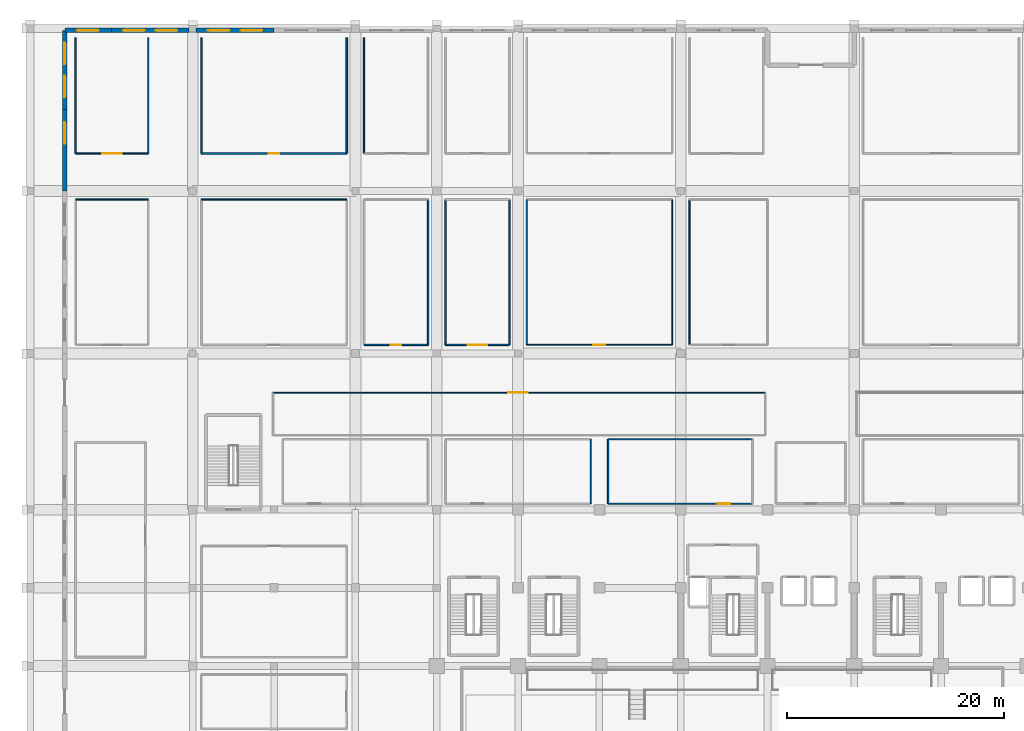
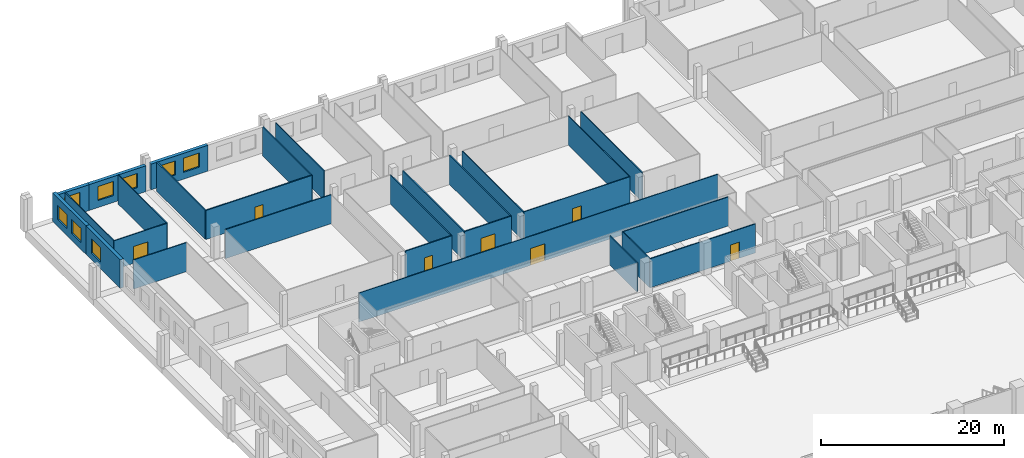
# One storey, part 17 of 33: 28 walls, 8 windows, 7 doors, 15 openings.
"""IFC4 building model written with IfcOpenShell, lengths in metres."""

from ifc_helpers import new_model, si_unit, direction, frame, frame_2d, origin, place, context, subcontext, project, spatial, rectangle, extrude, material, layer, layer_set, type_object, element, fill, save


model = new_model("IFC4")

# Units and contexts
model_context = context("Model", 3, precision=1e-05, world=origin(), true_north=direction((0.0, 1.0)))
body_context = subcontext(model_context, "Body", "Model", "MODEL_VIEW")
ifc_project = project(units=[si_unit("LENGTHUNIT", "METRE"), si_unit("AREAUNIT", "SQUARE_METRE"), si_unit("VOLUMEUNIT", "CUBIC_METRE"), si_unit("PLANEANGLEUNIT", "RADIAN"), si_unit("MASSUNIT", "GRAM", prefix="KILO")], contexts=[model_context])

# Site, building, storey
site_placement = place(None, origin())
site = spatial("IfcSite", under=ifc_project, at=site_placement, CompositionType="ELEMENT")
building_placement = place(site_placement, origin())
building = spatial("IfcBuilding", under=site, at=building_placement, Name="Akrevak Sports Hall", CompositionType="ELEMENT")
storey_placement = place(building_placement, origin())
storey = spatial("IfcBuildingStorey", under=building, at=storey_placement, Name="L00", CompositionType="ELEMENT", Elevation=0.0)

# Wall, opening, window
ifc_material_1 = material(Name="Limestone Ashlar", Category="stone")
ifc_layer_1 = layer(ifc_material_1, 0.090087890625, Name="Limestone Ashlar")
ifc_material_2 = material(Name="Mineral Wool Thermal Insulation", Category="insulation")
ifc_layer_2 = layer(ifc_material_2, 0.110107421875, Name="Mineral Wool Thermal Insulation")
ifc_material_3 = material(Name="Concrete C40/50", Category="concrete")
ifc_layer_3 = layer(ifc_material_3, 0.219970703125, Name="Concrete C40/50")
ifc_layer_set_1 = layer_set([ifc_layer_1, ifc_layer_2, ifc_layer_3], Name="Limestone Ashlar / Mineral Wool Thermal Insulation / Concrete C40/50")
wall_type_1 = type_object("IfcWallType", Name="ARC-WL-EXT-420", PredefinedType="SOLIDWALL", material=ifc_layer_set_1)
wall_1_placement = place(storey_placement, frame((3.199951171875, 106.5, 0.0), z_axis=(0.0, 0.0, 1.0), x_axis=(0.0, -1.0, 0.0)))
wall_1 = element("IfcWall", 1, at=wall_1_placement, inside=storey, type_object=wall_type_1, Name="West Boulevard Arcade Limestone Wall L00-W13", PredefinedType="SOLIDWALL", context=body_context, shape_type="SweptSolid", body=[
    extrude(rectangle(XDim=7.5, YDim=0.419921875, at=frame_2d((3.75, 0.0))), origin(), (0.0, 0.0, 1.0), 3.820068359375),
])
opening_1_placement = place(wall_1_placement, frame((1.175048828125, 0.0, 0.919921875)))
opening_1 = element("IfcOpeningElement", 2, at=opening_1_placement, cuts=wall_1, Name="Opening WN-28", PredefinedType="OPENING", context=body_context, shape_type="SweptSolid", body=[
    extrude(rectangle(XDim=2.0, YDim=1.889892578125, at=frame_2d((1.0, 0.94482421875))), frame((0.0, 0.221923828125, 0.0), z_axis=(0.0, -1.0, 0.0), x_axis=(1.0, 0.0, 0.0)), (0.0, 0.0, 1.0), 0.44384765625),
])
ifc_material_4 = material(Name="Thermally Broken Bronze Frame & Double Low-E Glass", Category="glass")
window_type = type_object("IfcWindowType", Name="ARC-WIN-SZ-2000x1890", PartitioningType="SINGLE_PANEL", PredefinedType="WINDOW", material=ifc_material_4)
window_1_placement = place(opening_1_placement, origin())
window_1 = element("IfcWindow", 3, at=window_1_placement, inside=storey, type_object=window_type, Name="Beaux-Arts Facade Window WIN-L00-W13-2", OverallHeight=1.889892578125, OverallWidth=2.0, PartitioningType="SINGLE_PANEL", PredefinedType="WINDOW", context=body_context, shape_type="SweptSolid", body=[
    extrude(rectangle(XDim=2.0, YDim=1.889892578125, at=frame_2d((1.0, 0.94482421875))), frame((0.0, 0.030029296875, 0.0), z_axis=(0.0, -1.0, 0.0), x_axis=(1.0, 0.0, 0.0)), (0.0, 0.0, 1.0), 0.06005859375),
])
fill(opening_1, window_1)

# Wall, openings, windows
wall_2_placement = place(storey_placement, frame((3.199951171875, 113.7900390625, 0.0), z_axis=(0.0, 0.0, 1.0), x_axis=(0.0, -1.0, 0.0)))
wall_2 = element("IfcWall", 4, at=wall_2_placement, inside=storey, type_object=wall_type_1, Name="West Boulevard Arcade Limestone Wall L00-W14", PredefinedType="SOLIDWALL", context=body_context, shape_type="SweptSolid", body=[
    extrude(rectangle(XDim=7.2900390625, YDim=0.419921875, at=frame_2d((3.64501953125, 0.0))), origin(), (0.0, 0.0, 1.0), 3.820068359375),
])
opening_2_placement = place(wall_2_placement, frame((4.17578125, 0.0, 0.919921875)))
opening_2 = element("IfcOpeningElement", 5, at=opening_2_placement, cuts=wall_2, Name="Opening WN-28", PredefinedType="OPENING", context=body_context, shape_type="SweptSolid", body=[
    extrude(rectangle(XDim=2.0, YDim=1.889892578125, at=frame_2d((1.0, 0.94482421875))), frame((0.0, 0.221923828125, 0.0), z_axis=(0.0, -1.0, 0.0), x_axis=(1.0, 0.0, 0.0)), (0.0, 0.0, 1.0), 0.44384765625),
])
opening_3_placement = place(wall_2_placement, frame((1.114013671875, 0.0, 0.919921875)))
opening_3 = element("IfcOpeningElement", 6, at=opening_3_placement, cuts=wall_2, Name="Opening WN-28", PredefinedType="OPENING", context=body_context, shape_type="SweptSolid", body=[
    extrude(rectangle(XDim=2.0, YDim=1.889892578125, at=frame_2d((1.0, 0.94482421875))), frame((0.0, 0.221923828125, 0.0), z_axis=(0.0, -1.0, 0.0), x_axis=(1.0, 0.0, 0.0)), (0.0, 0.0, 1.0), 0.44384765625),
])
window_2_placement = place(opening_2_placement, origin())
window_2 = element("IfcWindow", 7, at=window_2_placement, inside=storey, type_object=window_type, Name="Beaux-Arts Facade Window WIN-L00-W14-1", OverallHeight=1.889892578125, OverallWidth=2.0, PartitioningType="SINGLE_PANEL", PredefinedType="WINDOW", context=body_context, shape_type="SweptSolid", body=[
    extrude(rectangle(XDim=2.0, YDim=1.889892578125, at=frame_2d((1.0, 0.94482421875))), frame((0.0, 0.030029296875, 0.0), z_axis=(0.0, -1.0, 0.0), x_axis=(1.0, 0.0, 0.0)), (0.0, 0.0, 1.0), 0.06005859375),
])
fill(opening_2, window_2)
window_3_placement = place(opening_3_placement, origin())
window_3 = element("IfcWindow", 8, at=window_3_placement, inside=storey, type_object=window_type, Name="Beaux-Arts Facade Window WIN-L00-W14-2", OverallHeight=1.889892578125, OverallWidth=2.0, PartitioningType="SINGLE_PANEL", PredefinedType="WINDOW", context=body_context, shape_type="SweptSolid", body=[
    extrude(rectangle(XDim=2.0, YDim=1.889892578125, at=frame_2d((1.0, 0.94482421875))), frame((0.0, 0.030029296875, 0.0), z_axis=(0.0, -1.0, 0.0), x_axis=(1.0, 0.0, 0.0)), (0.0, 0.0, 1.0), 0.06005859375),
])
fill(opening_3, window_3)

# Wall, opening, window
wall_3_placement = place(storey_placement, frame((7.5, 113.7900390625, 0.0), z_axis=(0.0, 0.0, 1.0), x_axis=(-1.0, 0.0, 0.0)))
wall_3 = element("IfcWall", 9, at=wall_3_placement, inside=storey, type_object=wall_type_1, Name="North Concourse Stone Wall L00-N01", PredefinedType="SOLIDWALL", context=body_context, shape_type="SweptSolid", body=[
    extrude(rectangle(XDim=4.300048828125, YDim=0.419921875, at=frame_2d((2.14990234375, 0.0))), origin(), (0.0, 0.0, 1.0), 3.449951171875),
])
opening_4_placement = place(wall_3_placement, frame((1.14990234375, 0.0, 0.919921875)))
opening_4 = element("IfcOpeningElement", 10, at=opening_4_placement, cuts=wall_3, Name="Opening WN-28", PredefinedType="OPENING", context=body_context, shape_type="SweptSolid", body=[
    extrude(rectangle(XDim=2.0, YDim=1.889892578125, at=frame_2d((1.0, 0.94482421875))), frame((0.0, 0.221923828125, 0.0), z_axis=(0.0, -1.0, 0.0), x_axis=(1.0, 0.0, 0.0)), (0.0, 0.0, 1.0), 0.44384765625),
])
window_4_placement = place(opening_4_placement, origin())
window_4 = element("IfcWindow", 11, at=window_4_placement, inside=storey, type_object=window_type, Name="Beaux-Arts Facade Window WIN-L00-N01", OverallHeight=1.889892578125, OverallWidth=2.0, PartitioningType="SINGLE_PANEL", PredefinedType="WINDOW", context=body_context, shape_type="SweptSolid", body=[
    extrude(rectangle(XDim=2.0, YDim=1.889892578125, at=frame_2d((1.0, 0.94482421875))), frame((0.0, 0.030029296875, 0.0), z_axis=(0.0, -1.0, 0.0), x_axis=(1.0, 0.0, 0.0)), (0.0, 0.0, 1.0), 0.06005859375),
])
fill(opening_4, window_4)

# Wall, openings, windows
wall_4_placement = place(storey_placement, frame((14.675048828125, 113.7900390625, 0.0), z_axis=(0.0, 0.0, 1.0), x_axis=(-1.0, 0.0, 0.0)))
wall_4 = element("IfcWall", 12, at=wall_4_placement, inside=storey, type_object=wall_type_1, Name="North Concourse Stone Wall L00-N02", PredefinedType="SOLIDWALL", context=body_context, shape_type="SweptSolid", body=[
    extrude(rectangle(XDim=7.175048828125, YDim=0.419921875, at=frame_2d((3.58740234375, 0.0))), origin(), (0.0, 0.0, 1.0), 3.449951171875),
])
opening_5_placement = place(wall_4_placement, frame((4.09423828125, 0.0, 0.919921875)))
opening_5 = element("IfcOpeningElement", 13, at=opening_5_placement, cuts=wall_4, Name="Opening WN-28", PredefinedType="OPENING", context=body_context, shape_type="SweptSolid", body=[
    extrude(rectangle(XDim=2.0, YDim=1.889892578125, at=frame_2d((1.0, 0.94482421875))), frame((0.0, 0.221923828125, 0.0), z_axis=(0.0, -1.0, 0.0), x_axis=(1.0, 0.0, 0.0)), (0.0, 0.0, 1.0), 0.44384765625),
])
opening_6_placement = place(wall_4_placement, frame((1.080810546875, 0.0, 0.919921875)))
opening_6 = element("IfcOpeningElement", 14, at=opening_6_placement, cuts=wall_4, Name="Opening WN-28", PredefinedType="OPENING", context=body_context, shape_type="SweptSolid", body=[
    extrude(rectangle(XDim=2.0, YDim=1.889892578125, at=frame_2d((1.0, 0.94482421875))), frame((0.0, 0.221923828125, 0.0), z_axis=(0.0, -1.0, 0.0), x_axis=(1.0, 0.0, 0.0)), (0.0, 0.0, 1.0), 0.44384765625),
])
window_5_placement = place(opening_5_placement, origin())
window_5 = element("IfcWindow", 15, at=window_5_placement, inside=storey, type_object=window_type, Name="Beaux-Arts Facade Window WIN-L00-N02-1", OverallHeight=1.889892578125, OverallWidth=2.0, PartitioningType="SINGLE_PANEL", PredefinedType="WINDOW", context=body_context, shape_type="SweptSolid", body=[
    extrude(rectangle(XDim=2.0, YDim=1.889892578125, at=frame_2d((1.0, 0.94482421875))), frame((0.0, 0.030029296875, 0.0), z_axis=(0.0, -1.0, 0.0), x_axis=(1.0, 0.0, 0.0)), (0.0, 0.0, 1.0), 0.06005859375),
])
fill(opening_5, window_5)
window_6_placement = place(opening_6_placement, origin())
window_6 = element("IfcWindow", 16, at=window_6_placement, inside=storey, type_object=window_type, Name="Beaux-Arts Facade Window WIN-L00-N02-2", OverallHeight=1.889892578125, OverallWidth=2.0, PartitioningType="SINGLE_PANEL", PredefinedType="WINDOW", context=body_context, shape_type="SweptSolid", body=[
    extrude(rectangle(XDim=2.0, YDim=1.889892578125, at=frame_2d((1.0, 0.94482421875))), frame((0.0, 0.030029296875, 0.0), z_axis=(0.0, -1.0, 0.0), x_axis=(1.0, 0.0, 0.0)), (0.0, 0.0, 1.0), 0.06005859375),
])
fill(opening_6, window_6)

wall_5_placement = place(storey_placement, frame((22.5, 113.7900390625, 0.0), z_axis=(0.0, 0.0, 1.0), x_axis=(-1.0, 0.0, 0.0)))
wall_5 = element("IfcWall", 17, at=wall_5_placement, inside=storey, type_object=wall_type_1, Name="North Concourse Stone Wall L00-N03", PredefinedType="SOLIDWALL", context=body_context, shape_type="SweptSolid", body=[
    extrude(rectangle(XDim=7.175048828125, YDim=0.419921875, at=frame_2d((3.58740234375, 0.0))), origin(), (0.0, 0.0, 1.0), 3.449951171875),
])
opening_7_placement = place(wall_5_placement, frame((4.09423828125, 0.0, 0.919921875)))
opening_7 = element("IfcOpeningElement", 18, at=opening_7_placement, cuts=wall_5, Name="Opening WN-28", PredefinedType="OPENING", context=body_context, shape_type="SweptSolid", body=[
    extrude(rectangle(XDim=2.0, YDim=1.889892578125, at=frame_2d((1.0, 0.94482421875))), frame((0.0, 0.221923828125, 0.0), z_axis=(0.0, -1.0, 0.0), x_axis=(1.0, 0.0, 0.0)), (0.0, 0.0, 1.0), 0.44384765625),
])
opening_8_placement = place(wall_5_placement, frame((1.080810546875, 0.0, 0.919921875)))
opening_8 = element("IfcOpeningElement", 19, at=opening_8_placement, cuts=wall_5, Name="Opening WN-28", PredefinedType="OPENING", context=body_context, shape_type="SweptSolid", body=[
    extrude(rectangle(XDim=2.0, YDim=1.889892578125, at=frame_2d((1.0, 0.94482421875))), frame((0.0, 0.221923828125, 0.0), z_axis=(0.0, -1.0, 0.0), x_axis=(1.0, 0.0, 0.0)), (0.0, 0.0, 1.0), 0.44384765625),
])
window_7_placement = place(opening_7_placement, origin())
window_7 = element("IfcWindow", 20, at=window_7_placement, inside=storey, type_object=window_type, Name="Beaux-Arts Facade Window WIN-L00-N03-1", OverallHeight=1.889892578125, OverallWidth=2.0, PartitioningType="SINGLE_PANEL", PredefinedType="WINDOW", context=body_context, shape_type="SweptSolid", body=[
    extrude(rectangle(XDim=2.0, YDim=1.889892578125, at=frame_2d((1.0, 0.94482421875))), frame((0.0, 0.030029296875, 0.0), z_axis=(0.0, -1.0, 0.0), x_axis=(1.0, 0.0, 0.0)), (0.0, 0.0, 1.0), 0.06005859375),
])
fill(opening_7, window_7)
window_8_placement = place(opening_8_placement, origin())
window_8 = element("IfcWindow", 21, at=window_8_placement, inside=storey, type_object=window_type, Name="Beaux-Arts Facade Window WIN-L00-N03-2", OverallHeight=1.889892578125, OverallWidth=2.0, PartitioningType="SINGLE_PANEL", PredefinedType="WINDOW", context=body_context, shape_type="SweptSolid", body=[
    extrude(rectangle(XDim=2.0, YDim=1.889892578125, at=frame_2d((1.0, 0.94482421875))), frame((0.0, 0.030029296875, 0.0), z_axis=(0.0, -1.0, 0.0), x_axis=(1.0, 0.0, 0.0)), (0.0, 0.0, 1.0), 0.06005859375),
])
fill(opening_8, window_8)

# Wall, opening, door
ifc_material_5 = material(Name="Sanitary Cubicle Partition", Category="gypsum")
ifc_layer_4 = layer(ifc_material_5, 0.10009765625, Name="Sanitary Cubicle Partition")
ifc_layer_set_2 = layer_set([ifc_layer_4], Name="Sanitary Cubicle Partition")
wall_type_2 = type_object("IfcWallType", Name="ARC-WL-PRT-100", PredefinedType="PARTITIONING", material=ifc_layer_set_2)
wall_6_placement = place(storey_placement, frame((45.800048828125, 84.800048828125, 0.0), z_axis=(0.0, 0.0, 1.0), x_axis=(1.0, 0.0, 0.0)))
wall_6 = element("IfcWall", 22, at=wall_6_placement, inside=storey, type_object=wall_type_2, Name="Interior Partition Sports Federation Training Office L00-5 (S)", PredefinedType="PARTITIONING", context=body_context, shape_type="SweptSolid", body=[
    extrude(rectangle(XDim=13.39990234375, YDim=0.10009765625, at=frame_2d((6.699951171875, 0.0))), origin(), (0.0, 0.0, 1.0), 3.8798828125),
])
opening_9_placement = place(wall_6_placement, frame((6.14990234375, 0.0, 0.0)))
opening_9 = element("IfcOpeningElement", 23, at=opening_9_placement, cuts=wall_6, Name="Opening ID-04", PredefinedType="OPENING", context=body_context, shape_type="SweptSolid", body=[
    extrude(rectangle(XDim=1.10009765625, YDim=2.14990234375, at=frame_2d((0.550048828125, 1.074951171875))), frame((0.0, 0.06201171875, 0.0), z_axis=(0.0, -1.0, 0.0), x_axis=(1.0, 0.0, 0.0)), (0.0, 0.0, 1.0), 0.1240234375),
])
ifc_material_6 = material(Name="Hardwood Oak Acoustic Leaf", Category="wood")
door_type_1 = type_object("IfcDoorType", Name="ARC-DR-OFF-110x215", OperationType="NOTDEFINED", PredefinedType="DOOR", material=ifc_material_6)
door_1_placement = place(opening_9_placement, frame((1.10009765625, 0.0, 0.0), z_axis=(0.0, 0.0, 1.0), x_axis=(-1.0, 0.0, 0.0)))
door_1 = element("IfcDoor", 24, at=door_1_placement, inside=storey, type_object=door_type_1, Name="Door to Sports Federation Training Office L00-5", OperationType="SINGLE_SWING_RIGHT", OverallHeight=2.14990234375, OverallWidth=1.10009765625, PredefinedType="DOOR", context=body_context, shape_type="SweptSolid", body=[
    extrude(rectangle(XDim=1.10009765625, YDim=2.14990234375, at=frame_2d((0.550048828125, 1.074951171875))), frame((0.0, 0.02490234375, 0.0), z_axis=(0.0, -1.0, 0.0), x_axis=(1.0, 0.0, 0.0)), (0.0, 0.0, 1.0), 0.050048828125),
])
fill(opening_9, door_1)

# Walls
for number, where, z_axis, x_axis, name in (
    (25, (45.800048828125, 84.800048828125, 0.0), (0.0, 0.0, 1.0), (0.0, 1.0, 0.0), "Interior Partition Sports Federation Training Office L00-5 (W)"),
    (26, (59.199951171875, 84.800048828125, 0.0), (0.0, 0.0, 1.0), (0.0, 1.0, 0.0), "Interior Partition Sports Federation Training Office L00-5 (E)"),
):
    element("IfcWall", number, at=place(storey_placement, frame(where, z_axis=z_axis, x_axis=x_axis)), inside=storey, type_object=wall_type_2, Name=name, PredefinedType="PARTITIONING", context=body_context, shape_type="SweptSolid", body=[
        extrude(rectangle(XDim=13.39990234375, YDim=0.10009765625, at=frame_2d((6.699951171875, 0.0))), origin(), (0.0, 0.0, 1.0), 3.8798828125),
    ])

# Wall, opening, door
wall_7_placement = place(storey_placement, frame((22.39990234375, 80.39990234375, 0.0), z_axis=(0.0, 0.0, 1.0), x_axis=(1.0, 0.0, 0.0)))
wall_7 = element("IfcWall", 27, at=wall_7_placement, inside=storey, type_object=wall_type_2, Name="Interior Partition North Athletes Gear & Kit Storage L00-1 (N)", PredefinedType="PARTITIONING", context=body_context, shape_type="SweptSolid", body=[
    extrude(rectangle(XDim=45.400146484375, YDim=0.10009765625, at=frame_2d((22.7001953125, 0.0))), origin(), (0.0, 0.0, 1.0), 3.8798828125),
])
opening_10_placement = place(wall_7_placement, frame((21.699951171875, 0.0, 0.0)))
opening_10 = element("IfcOpeningElement", 28, at=opening_10_placement, cuts=wall_7, Name="Opening ID-02", PredefinedType="OPENING", context=body_context, shape_type="SweptSolid", body=[
    extrude(rectangle(XDim=1.800048828125, YDim=2.25, at=frame_2d((0.89990234375, 1.125))), frame((0.0, 0.06201171875, 0.0), z_axis=(0.0, -1.0, 0.0), x_axis=(1.0, 0.0, 0.0)), (0.0, 0.0, 1.0), 0.1240234375),
])
ifc_material_7 = material(Name="Hardwood Oak & Safety Glass", Category="wood")
door_type_2 = type_object("IfcDoorType", Name="ARC-DR-HALL-180x225", OperationType="DOUBLE_DOOR_SINGLE_SWING", PredefinedType="DOOR", material=ifc_material_7)
door_2_placement = place(opening_10_placement, origin())
door_2 = element("IfcDoor", 29, at=door_2_placement, inside=storey, type_object=door_type_2, Name="Door to North Athletes Gear & Kit Storage L00-1", OperationType="DOUBLE_DOOR_SINGLE_SWING", OverallHeight=2.25, OverallWidth=1.800048828125, PredefinedType="DOOR", context=body_context, shape_type="SweptSolid", body=[
    extrude(rectangle(XDim=1.800048828125, YDim=2.25, at=frame_2d((0.89990234375, 1.125))), frame((0.0, 0.02490234375, 0.0), z_axis=(0.0, -1.0, 0.0), x_axis=(1.0, 0.0, 0.0)), (0.0, 0.0, 1.0), 0.050048828125),
])
fill(opening_10, door_2)

# Walls
ifc_material_8 = material(Name="Lightweight Office Partition", Category="gypsum")
ifc_layer_5 = layer(ifc_material_8, 0.110107421875, Name="Lightweight Office Partition")
ifc_layer_set_3 = layer_set([ifc_layer_5], Name="Lightweight Office Partition")
wall_type_3 = type_object("IfcWallType", Name="ARC-WL-PRT-110", PredefinedType="PARTITIONING", material=ifc_layer_set_3)
wall_8_placement = place(storey_placement, frame((4.199951171875, 98.199951171875, 0.0), z_axis=(0.0, 0.0, 1.0), x_axis=(1.0, 0.0, 0.0)))
element("IfcWall", 30, at=wall_8_placement, inside=storey, type_object=wall_type_3, Name="Interior Partition Athletic Gear & Equipment Storage L00-1 (N)", PredefinedType="PARTITIONING", context=body_context, shape_type="SweptSolid", body=[
    extrude(rectangle(XDim=6.699951171875, YDim=0.110107421875, at=frame_2d((3.35009765625, 0.0))), origin(), (0.0, 0.0, 1.0), 3.8798828125),
])
wall_9_placement = place(storey_placement, frame((60.800048828125, 84.800048828125, 0.0), z_axis=(0.0, 0.0, 1.0), x_axis=(0.0, 1.0, 0.0)))
element("IfcWall", 31, at=wall_9_placement, inside=storey, type_object=wall_type_3, Name="Interior Partition Sports Clinic Recovery & Physiotherapy Room L00-6 (W)", PredefinedType="PARTITIONING", context=body_context, shape_type="SweptSolid", body=[
    extrude(rectangle(XDim=13.39990234375, YDim=0.110107421875, at=frame_2d((6.699951171875, 0.0))), origin(), (0.0, 0.0, 1.0), 3.8798828125),
])
wall_10_placement = place(storey_placement, frame((30.800048828125, 102.449951171875, 0.0), z_axis=(0.0, 0.0, 1.0), x_axis=(0.0, 1.0, 0.0)))
element("IfcWall", 32, at=wall_10_placement, inside=storey, type_object=wall_type_3, Name="Interior Partition Competition Equipment Storage L00-3 (W)", PredefinedType="PARTITIONING", context=body_context, shape_type="SweptSolid", body=[
    extrude(rectangle(XDim=10.650146484375, YDim=0.110107421875, at=frame_2d((5.3251953125, 0.0))), origin(), (0.0, 0.0, 1.0), 3.8798828125),
])
ifc_material_9 = material(Name="Standard Metal Stud Partition", Category="gypsum")
ifc_layer_6 = layer(ifc_material_9, 0.1201171875, Name="Standard Metal Stud Partition")
ifc_layer_set_4 = layer_set([ifc_layer_6], Name="Standard Metal Stud Partition")
wall_type_4 = type_object("IfcWallType", Name="ARC-WL-PRT-120", PredefinedType="PARTITIONING", material=ifc_layer_set_4)
wall_11_placement = place(storey_placement, frame((15.800048828125, 98.199951171875, 0.0), z_axis=(0.0, 0.0, 1.0), x_axis=(1.0, 0.0, 0.0)))
element("IfcWall", 33, at=wall_11_placement, inside=storey, type_object=wall_type_4, Name="Interior Partition Sports Federation Training Office L00-2 (N)", PredefinedType="PARTITIONING", context=body_context, shape_type="SweptSolid", body=[
    extrude(rectangle(XDim=13.39990234375, YDim=0.1201171875, at=frame_2d((6.699951171875, 0.0))), origin(), (0.0, 0.0, 1.0), 3.8798828125),
])

# Wall, opening, door
wall_12_placement = place(storey_placement, frame((4.199951171875, 102.449951171875, 0.0), z_axis=(0.0, 0.0, 1.0), x_axis=(1.0, 0.0, 0.0)))
wall_12 = element("IfcWall", 34, at=wall_12_placement, inside=storey, type_object=wall_type_4, Name="Interior Partition Competition Equipment Storage L00-1 (S)", PredefinedType="PARTITIONING", context=body_context, shape_type="SweptSolid", body=[
    extrude(rectangle(XDim=6.699951171875, YDim=0.1201171875, at=frame_2d((3.35009765625, 0.0))), origin(), (0.0, 0.0, 1.0), 3.8798828125),
])
opening_11_placement = place(wall_12_placement, frame((2.449951171875, 0.0, 0.0)))
opening_11 = element("IfcOpeningElement", 35, at=opening_11_placement, cuts=wall_12, Name="Opening ID-02", PredefinedType="OPENING", context=body_context, shape_type="SweptSolid", body=[
    extrude(rectangle(XDim=1.800048828125, YDim=2.25, at=frame_2d((0.89990234375, 1.125))), frame((0.0, 0.072021484375, 0.0), z_axis=(0.0, -1.0, 0.0), x_axis=(1.0, 0.0, 0.0)), (0.0, 0.0, 1.0), 0.14404296875),
])
door_3_placement = place(opening_11_placement, origin())
door_3 = element("IfcDoor", 36, at=door_3_placement, inside=storey, type_object=door_type_2, Name="Door to Competition Equipment Storage L00-1", OperationType="DOUBLE_DOOR_SINGLE_SWING", OverallHeight=2.25, OverallWidth=1.800048828125, PredefinedType="DOOR", context=body_context, shape_type="SweptSolid", body=[
    extrude(rectangle(XDim=1.800048828125, YDim=2.25, at=frame_2d((0.89990234375, 1.125))), frame((0.0, 0.02490234375, 0.0), z_axis=(0.0, -1.0, 0.0), x_axis=(1.0, 0.0, 0.0)), (0.0, 0.0, 1.0), 0.050048828125),
])
fill(opening_11, door_3)

# Walls
for number, where, z_axis, x_axis, name in (
    (37, (4.199951171875, 102.449951171875, 0.0), (0.0, 0.0, 1.0), (0.0, 1.0, 0.0), "Interior Partition Competition Equipment Storage L00-1 (W)"),
    (38, (10.89990234375, 102.449951171875, 0.0), (0.0, 0.0, 1.0), (0.0, 1.0, 0.0), "Interior Partition Competition Equipment Storage L00-1 (E)"),
):
    element("IfcWall", number, at=place(storey_placement, frame(where, z_axis=z_axis, x_axis=x_axis)), inside=storey, type_object=wall_type_4, Name=name, PredefinedType="PARTITIONING", context=body_context, shape_type="SweptSolid", body=[
        extrude(rectangle(XDim=10.650146484375, YDim=0.1201171875, at=frame_2d((5.3251953125, 0.0))), origin(), (0.0, 0.0, 1.0), 3.8798828125),
    ])
ifc_material_10 = material(Name="Acoustic Metal Stud Partition", Category="gypsum")
ifc_layer_7 = layer(ifc_material_10, 0.1298828125, Name="Acoustic Metal Stud Partition")
ifc_layer_set_5 = layer_set([ifc_layer_7], Name="Acoustic Metal Stud Partition")
wall_type_5 = type_object("IfcWallType", Name="ARC-WL-PRT-130", PredefinedType="PARTITIONING", material=ifc_layer_set_5)
wall_13_placement = place(storey_placement, frame((51.699951171875, 70.14990234375, 0.0), z_axis=(0.0, 0.0, 1.0), x_axis=(0.0, 1.0, 0.0)))
element("IfcWall", 39, at=wall_13_placement, inside=storey, type_object=wall_type_5, Name="Interior Partition Changing Room 2 - Away Team A (E)", PredefinedType="PARTITIONING", context=body_context, shape_type="SweptSolid", body=[
    extrude(rectangle(XDim=5.9501953125, YDim=0.1298828125, at=frame_2d((2.97509765625, 0.0))), origin(), (0.0, 0.0, 1.0), 3.8798828125),
])

# Wall, opening, door
wall_14_placement = place(storey_placement, frame((53.300048828125, 70.14990234375, 0.0), z_axis=(0.0, 0.0, 1.0), x_axis=(1.0, 0.0, 0.0)))
wall_14 = element("IfcWall", 40, at=wall_14_placement, inside=storey, type_object=wall_type_5, Name="Interior Partition Changing Room 3 - Home Team B (S)", PredefinedType="PARTITIONING", context=body_context, shape_type="SweptSolid", body=[
    extrude(rectangle(XDim=13.300048828125, YDim=0.1298828125, at=frame_2d((6.64990234375, 0.0))), origin(), (0.0, 0.0, 1.0), 3.8798828125),
])
opening_12_placement = place(wall_14_placement, frame((10.125, 0.0, 0.0)))
opening_12 = element("IfcOpeningElement", 41, at=opening_12_placement, cuts=wall_14, Name="Opening ID-07", PredefinedType="OPENING", context=body_context, shape_type="SweptSolid", body=[
    extrude(rectangle(XDim=1.14990234375, YDim=2.14990234375, at=frame_2d((0.574951171875, 1.074951171875))), frame((0.0, 0.076904296875, 0.0), z_axis=(0.0, -1.0, 0.0), x_axis=(1.0, 0.0, 0.0)), (0.0, 0.0, 1.0), 0.15380859375),
])
ifc_material_11 = material(Name="High-Pressure Laminate & Aluminium", Category="aluminium")
door_type_3 = type_object("IfcDoorType", Name="ARC-DR-CHG-115x215", OperationType="NOTDEFINED", PredefinedType="DOOR", material=ifc_material_11)
door_4_placement = place(opening_12_placement, frame((1.14990234375, 0.0, 0.0), z_axis=(0.0, 0.0, 1.0), x_axis=(-1.0, 0.0, 0.0)))
door_4 = element("IfcDoor", 42, at=door_4_placement, inside=storey, type_object=door_type_3, Name="Door to Changing Room 3 - Home Team B", OperationType="SINGLE_SWING_RIGHT", OverallHeight=2.14990234375, OverallWidth=1.14990234375, PredefinedType="DOOR", context=body_context, shape_type="SweptSolid", body=[
    extrude(rectangle(XDim=1.14990234375, YDim=2.14990234375, at=frame_2d((0.574951171875, 1.074951171875))), frame((0.0, 0.02490234375, 0.0), z_axis=(0.0, -1.0, 0.0), x_axis=(1.0, 0.0, 0.0)), (0.0, 0.0, 1.0), 0.050048828125),
])
fill(opening_12, door_4)

# Walls
wall_15_placement = place(storey_placement, frame((53.300048828125, 76.10009765625, 0.0), z_axis=(0.0, 0.0, 1.0), x_axis=(1.0, 0.0, 0.0)))
element("IfcWall", 43, at=wall_15_placement, inside=storey, type_object=wall_type_5, Name="Interior Partition Changing Room 3 - Home Team B (N)", PredefinedType="PARTITIONING", context=body_context, shape_type="SweptSolid", body=[
    extrude(rectangle(XDim=13.300048828125, YDim=0.1298828125, at=frame_2d((6.64990234375, 0.0))), origin(), (0.0, 0.0, 1.0), 3.8798828125),
])
wall_16_placement = place(storey_placement, frame((53.300048828125, 70.14990234375, 0.0), z_axis=(0.0, 0.0, 1.0), x_axis=(0.0, 1.0, 0.0)))
element("IfcWall", 44, at=wall_16_placement, inside=storey, type_object=wall_type_5, Name="Interior Partition Changing Room 3 - Home Team B (W)", PredefinedType="PARTITIONING", context=body_context, shape_type="SweptSolid", body=[
    extrude(rectangle(XDim=5.9501953125, YDim=0.1298828125, at=frame_2d((2.97509765625, 0.0))), origin(), (0.0, 0.0, 1.0), 3.8798828125),
])

# Wall, opening, door
wall_17_placement = place(storey_placement, frame((30.800048828125, 84.800048828125, 0.0), z_axis=(0.0, 0.0, 1.0), x_axis=(1.0, 0.0, 0.0)))
wall_17 = element("IfcWall", 45, at=wall_17_placement, inside=storey, type_object=wall_type_5, Name="Interior Partition Sports Clinic Recovery & Physiotherapy Room L00-3 (S)", PredefinedType="PARTITIONING", context=body_context, shape_type="SweptSolid", body=[
    extrude(rectangle(XDim=5.89990234375, YDim=0.1298828125, at=frame_2d((2.949951171875, 0.0))), origin(), (0.0, 0.0, 1.0), 3.8798828125),
])
opening_13_placement = place(wall_17_placement, frame((2.449951171875, 0.0, 0.0)))
opening_13 = element("IfcOpeningElement", 46, at=opening_13_placement, cuts=wall_17, Name="Opening ID-06", PredefinedType="OPENING", context=body_context, shape_type="SweptSolid", body=[
    extrude(rectangle(XDim=1.0, YDim=2.14990234375, at=frame_2d((0.5, 1.074951171875))), frame((0.0, 0.076904296875, 0.0), z_axis=(0.0, -1.0, 0.0), x_axis=(1.0, 0.0, 0.0)), (0.0, 0.0, 1.0), 0.15380859375),
])
door_type_4 = type_object("IfcDoorType", Name="ARC-DR-OFF-100x215", OperationType="NOTDEFINED", PredefinedType="DOOR", material=ifc_material_6)
door_5_placement = place(opening_13_placement, origin())
door_5 = element("IfcDoor", 47, at=door_5_placement, inside=storey, type_object=door_type_4, Name="Door to Sports Clinic Recovery & Physiotherapy Room L00-3", OperationType="SINGLE_SWING_LEFT", OverallHeight=2.14990234375, OverallWidth=1.0, PredefinedType="DOOR", context=body_context, shape_type="SweptSolid", body=[
    extrude(rectangle(XDim=1.0, YDim=2.14990234375, at=frame_2d((0.5, 1.074951171875))), frame((0.0, 0.02490234375, 0.0), z_axis=(0.0, -1.0, 0.0), x_axis=(1.0, 0.0, 0.0)), (0.0, 0.0, 1.0), 0.050048828125),
])
fill(opening_13, door_5)

# Wall
wall_18_placement = place(storey_placement, frame((36.699951171875, 84.800048828125, 0.0), z_axis=(0.0, 0.0, 1.0), x_axis=(0.0, 1.0, 0.0)))
element("IfcWall", 48, at=wall_18_placement, inside=storey, type_object=wall_type_5, Name="Interior Partition Sports Clinic Recovery & Physiotherapy Room L00-3 (E)", PredefinedType="PARTITIONING", context=body_context, shape_type="SweptSolid", body=[
    extrude(rectangle(XDim=13.39990234375, YDim=0.1298828125, at=frame_2d((6.699951171875, 0.0))), origin(), (0.0, 0.0, 1.0), 3.8798828125),
])

# Wall, opening, door
ifc_material_12 = material(Name="Double Stud Acoustic Gypsum Partition", Category="gypsum")
ifc_layer_8 = layer(ifc_material_12, 0.14990234375, Name="Double Stud Acoustic Gypsum Partition")
ifc_layer_set_6 = layer_set([ifc_layer_8], Name="Double Stud Acoustic Gypsum Partition")
wall_type_6 = type_object("IfcWallType", Name="ARC-WL-PRT-150", PredefinedType="PARTITIONING", material=ifc_layer_set_6)
wall_19_placement = place(storey_placement, frame((38.300048828125, 84.800048828125, 0.0), z_axis=(0.0, 0.0, 1.0), x_axis=(1.0, 0.0, 0.0)))
wall_19 = element("IfcWall", 49, at=wall_19_placement, inside=storey, type_object=wall_type_6, Name="Interior Partition Athletic Gear & Equipment Storage L00-4 (S)", PredefinedType="PARTITIONING", context=body_context, shape_type="SweptSolid", body=[
    extrude(rectangle(XDim=5.89990234375, YDim=0.14990234375, at=frame_2d((2.949951171875, 0.0))), origin(), (0.0, 0.0, 1.0), 3.8798828125),
])
opening_14_placement = place(wall_19_placement, frame((2.050048828125, 0.0, 0.0)))
opening_14 = element("IfcOpeningElement", 50, at=opening_14_placement, cuts=wall_19, Name="Opening ID-02", PredefinedType="OPENING", context=body_context, shape_type="SweptSolid", body=[
    extrude(rectangle(XDim=1.800048828125, YDim=2.25, at=frame_2d((0.89990234375, 1.125))), frame((0.0, 0.0869140625, 0.0), z_axis=(0.0, -1.0, 0.0), x_axis=(1.0, 0.0, 0.0)), (0.0, 0.0, 1.0), 0.173828125),
])
door_6_placement = place(opening_14_placement, origin())
door_6 = element("IfcDoor", 51, at=door_6_placement, inside=storey, type_object=door_type_2, Name="Door to Athletic Gear & Equipment Storage L00-4", OperationType="DOUBLE_DOOR_SINGLE_SWING", OverallHeight=2.25, OverallWidth=1.800048828125, PredefinedType="DOOR", context=body_context, shape_type="SweptSolid", body=[
    extrude(rectangle(XDim=1.800048828125, YDim=2.25, at=frame_2d((0.89990234375, 1.125))), frame((0.0, 0.02490234375, 0.0), z_axis=(0.0, -1.0, 0.0), x_axis=(1.0, 0.0, 0.0)), (0.0, 0.0, 1.0), 0.050048828125),
])
fill(opening_14, door_6)

# Walls
for number, where, z_axis, x_axis, name in (
    (52, (38.300048828125, 84.800048828125, 0.0), (0.0, 0.0, 1.0), (0.0, 1.0, 0.0), "Interior Partition Athletic Gear & Equipment Storage L00-4 (W)"),
    (53, (44.199951171875, 84.800048828125, 0.0), (0.0, 0.0, 1.0), (0.0, 1.0, 0.0), "Interior Partition Athletic Gear & Equipment Storage L00-4 (E)"),
):
    element("IfcWall", number, at=place(storey_placement, frame(where, z_axis=z_axis, x_axis=x_axis)), inside=storey, type_object=wall_type_6, Name=name, PredefinedType="PARTITIONING", context=body_context, shape_type="SweptSolid", body=[
        extrude(rectangle(XDim=13.39990234375, YDim=0.14990234375, at=frame_2d((6.699951171875, 0.0))), origin(), (0.0, 0.0, 1.0), 3.8798828125),
    ])

# Wall, opening, door
wall_20_placement = place(storey_placement, frame((15.800048828125, 102.449951171875, 0.0), z_axis=(0.0, 0.0, 1.0), x_axis=(1.0, 0.0, 0.0)))
wall_20 = element("IfcWall", 54, at=wall_20_placement, inside=storey, type_object=wall_type_6, Name="Interior Partition Federation Officiating & Records Office L00-2 (S)", PredefinedType="PARTITIONING", context=body_context, shape_type="SweptSolid", body=[
    extrude(rectangle(XDim=13.39990234375, YDim=0.14990234375, at=frame_2d((6.699951171875, 0.0))), origin(), (0.0, 0.0, 1.0), 3.8798828125),
])
opening_15_placement = place(wall_20_placement, frame((6.199951171875, 0.0, 0.0)))
opening_15 = element("IfcOpeningElement", 55, at=opening_15_placement, cuts=wall_20, Name="Opening ID-06", PredefinedType="OPENING", context=body_context, shape_type="SweptSolid", body=[
    extrude(rectangle(XDim=1.0, YDim=2.14990234375, at=frame_2d((0.5, 1.074951171875))), frame((0.0, 0.0869140625, 0.0), z_axis=(0.0, -1.0, 0.0), x_axis=(1.0, 0.0, 0.0)), (0.0, 0.0, 1.0), 0.173828125),
])
door_7_placement = place(opening_15_placement, origin())
door_7 = element("IfcDoor", 56, at=door_7_placement, inside=storey, type_object=door_type_4, Name="Door to Federation Officiating & Records Office L00-2", OperationType="SINGLE_SWING_LEFT", OverallHeight=2.14990234375, OverallWidth=1.0, PredefinedType="DOOR", context=body_context, shape_type="SweptSolid", body=[
    extrude(rectangle(XDim=1.0, YDim=2.14990234375, at=frame_2d((0.5, 1.074951171875))), frame((0.0, 0.02490234375, 0.0), z_axis=(0.0, -1.0, 0.0), x_axis=(1.0, 0.0, 0.0)), (0.0, 0.0, 1.0), 0.050048828125),
])
fill(opening_15, door_7)

# Walls
for number, where, z_axis, x_axis, name in (
    (57, (15.800048828125, 102.449951171875, 0.0), (0.0, 0.0, 1.0), (0.0, 1.0, 0.0), "Interior Partition Federation Officiating & Records Office L00-2 (W)"),
    (58, (29.199951171875, 102.449951171875, 0.0), (0.0, 0.0, 1.0), (0.0, 1.0, 0.0), "Interior Partition Federation Officiating & Records Office L00-2 (E)"),
):
    element("IfcWall", number, at=place(storey_placement, frame(where, z_axis=z_axis, x_axis=x_axis)), inside=storey, type_object=wall_type_6, Name=name, PredefinedType="PARTITIONING", context=body_context, shape_type="SweptSolid", body=[
        extrude(rectangle(XDim=10.650146484375, YDim=0.14990234375, at=frame_2d((5.3251953125, 0.0))), origin(), (0.0, 0.0, 1.0), 3.8798828125),
    ])

save(model, "model.ifc")
